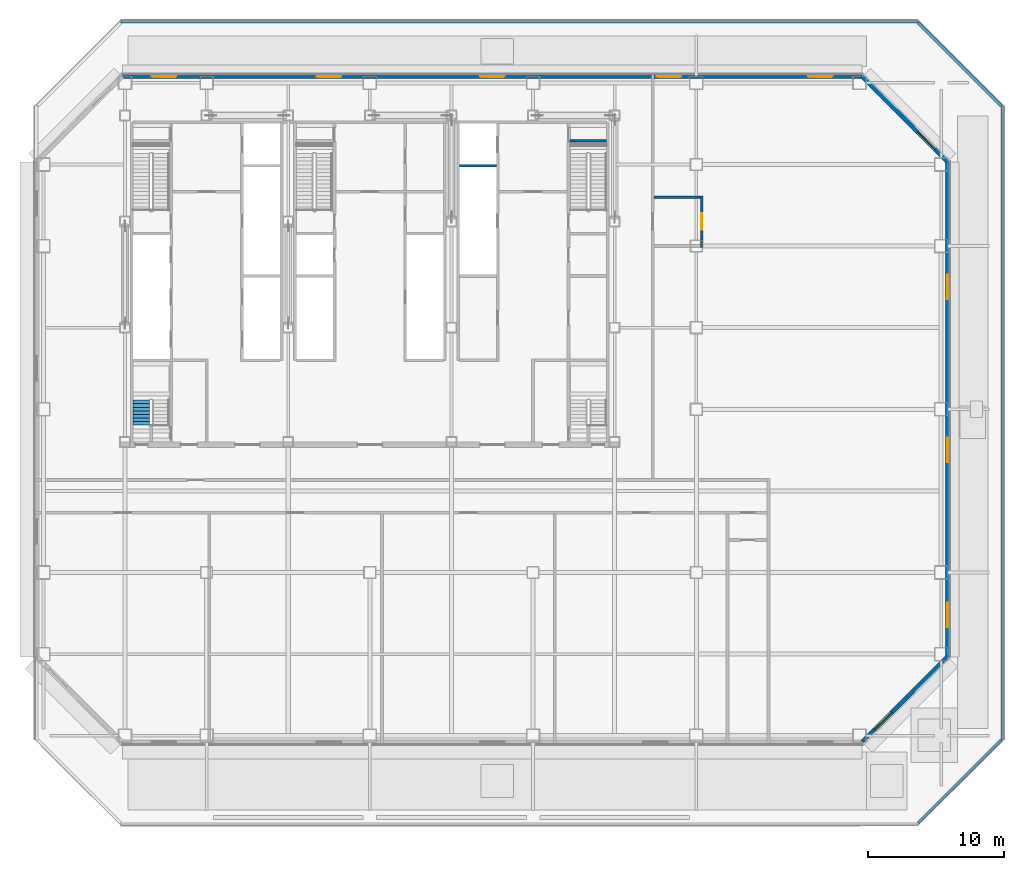
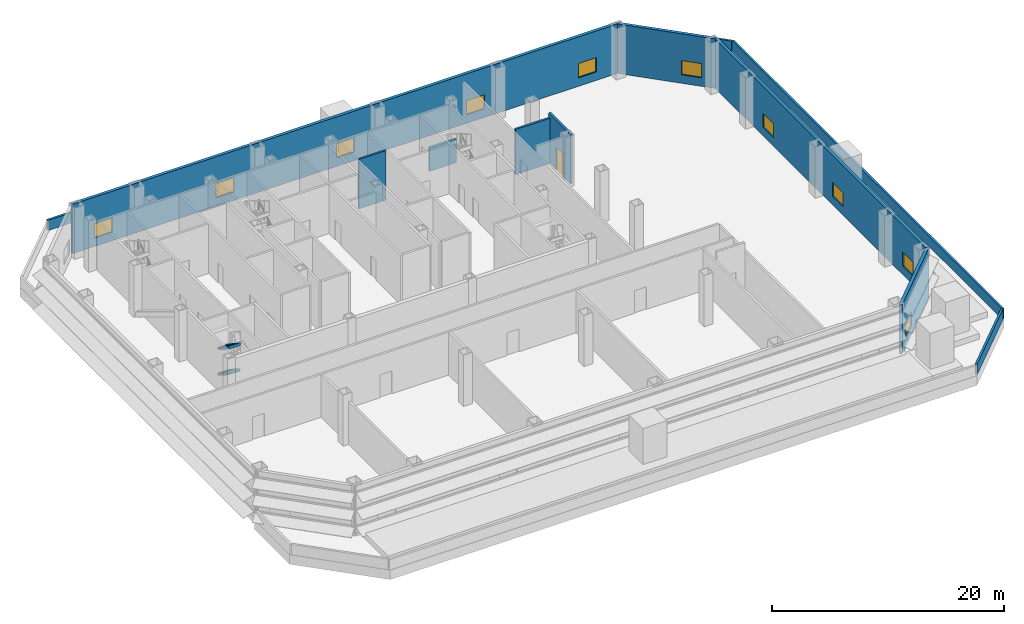
# One storey, part 6 of 11: 12 walls, 10 windows, 2 stair flights, 1 door, 11 openings, 1 element without a shape of its own.
"""IFC4 building model written with IfcOpenShell, lengths in metres."""

from ifc_helpers import new_model, si_unit, direction, frame, frame_2d, origin, place, context, subcontext, project, spatial, polyline, rectangle, outline, extrude, material, layer, layer_set, type_object, element, fill, aggregate, save


model = new_model("IFC4")

# Units and contexts
model_context = context("Model", 3, precision=1e-05, world=origin(), true_north=direction((0.0, 1.0)))
body_context = subcontext(model_context, "Body", "Model", "MODEL_VIEW")
ifc_project = project(units=[si_unit("LENGTHUNIT", "METRE"), si_unit("AREAUNIT", "SQUARE_METRE"), si_unit("VOLUMEUNIT", "CUBIC_METRE"), si_unit("PLANEANGLEUNIT", "RADIAN"), si_unit("MASSUNIT", "GRAM", prefix="KILO")], contexts=[model_context])

# Site, building, storey
site_placement = place(None, origin())
site = spatial("IfcSite", under=ifc_project, at=site_placement, CompositionType="ELEMENT")
building_placement = place(site_placement, origin())
building = spatial("IfcBuilding", under=site, at=building_placement, Name="Sorahane Residences", CompositionType="ELEMENT")
storey_placement = place(building_placement, frame((0.0, 0.0, 44.39990234375)))
storey = spatial("IfcBuildingStorey", under=building, at=storey_placement, Name="L07", CompositionType="ELEMENT", Elevation=44.39990234375)

# Wall, opening, window
ifc_material_1 = material(Name="Graphite insulated metal-clad wall")
ifc_layer_1 = layer(ifc_material_1, 0.300048828125)
ifc_layer_set_1 = layer_set([ifc_layer_1], Name="External wall insulated metal-clad 300")
wall_type_1 = type_object("IfcWallType", Name="External wall insulated metal-clad 300", PredefinedType="SOLIDWALL", material=ifc_layer_set_1)
wall_1_placement = place(storey_placement, frame((60.194580078125, -0.469970703125, 0.0), z_axis=(0.0, 0.0, 1.0), x_axis=(0.707106781187, 0.707106781187, 0.0)))
wall_1 = element("IfcWall", 1, at=wall_1_placement, inside=storey, type_object=wall_type_1, Name="External plant wall L07 SE1", PredefinedType="SOLIDWALL", context=body_context, shape_type="SweptSolid", body=[
    extrude(rectangle(XDim=8.874755859375, YDim=0.300048828125, at=frame_2d((4.4375, 0.0))), origin(), (0.0, 0.0, 1.0), 5.22021484375),
])
opening_1_placement = place(wall_1_placement, frame((1.291748046875, 0.0, 0.89990234375)))
opening_1 = element("IfcOpeningElement", 2, at=opening_1_placement, cuts=wall_1, Name="Opening W-R1", PredefinedType="OPENING", context=body_context, shape_type="SweptSolid", body=[
    extrude(rectangle(XDim=1.800048828125, YDim=1.5, at=frame_2d((0.89990234375, 0.75))), frame((0.0, 0.159912109375, 0.0), z_axis=(0.0, -1.0, 0.0), x_axis=(1.0, 0.0, 0.0)), (0.0, 0.0, 1.0), 0.320068359375),
])
ifc_material_2 = material(Name="Dark aluminium and glass", Category="aluminium")
window_type = type_object("IfcWindowType", Name="Openable Class B fire window dark aluminium 1800x1500", PartitioningType="SINGLE_PANEL", PredefinedType="WINDOW", material=ifc_material_2)
window_1_placement = place(opening_1_placement, origin())
window_1 = element("IfcWindow", 3, at=window_1_placement, inside=storey, type_object=window_type, Name="Openable fire window L07 SE1.1", OverallHeight=1.5, OverallWidth=1.800048828125, PartitioningType="SINGLE_PANEL", PredefinedType="WINDOW", context=body_context, shape_type="SweptSolid", body=[
    extrude(rectangle(XDim=1.800048828125, YDim=1.5, at=frame_2d((0.89990234375, 0.75))), frame((0.0, 0.030029296875, 0.0), z_axis=(0.0, -1.0, 0.0), x_axis=(1.0, 0.0, 0.0)), (0.0, 0.0, 1.0), 0.06005859375),
])
fill(opening_1, window_1)

# Wall, openings, windows
wall_2_placement = place(storey_placement, frame((66.469970703125, 5.805419921875, 0.0), z_axis=(0.0, 0.0, 1.0), x_axis=(0.0, 1.0, 0.0)))
wall_2 = element("IfcWall", 4, at=wall_2_placement, inside=storey, type_object=wall_type_1, Name="External plant wall L07 E1", PredefinedType="SOLIDWALL", context=body_context, shape_type="SweptSolid", body=[
    extrude(rectangle(XDim=36.38916015625, YDim=0.300048828125, at=frame_2d((18.194580078125, 0.0))), origin(), (0.0, 0.0, 1.0), 5.22021484375),
])
opening_2_placement = place(wall_2_placement, frame((2.17041015625, 0.0, 0.89990234375)))
opening_2 = element("IfcOpeningElement", 5, at=opening_2_placement, cuts=wall_2, Name="Opening W-R1", PredefinedType="OPENING", context=body_context, shape_type="SweptSolid", body=[
    extrude(rectangle(XDim=1.800048828125, YDim=1.5, at=frame_2d((0.89990234375, 0.75))), frame((0.0, 0.159912109375, 0.0), z_axis=(0.0, -1.0, 0.0), x_axis=(1.0, 0.0, 0.0)), (0.0, 0.0, 1.0), 0.320068359375),
])
opening_3_placement = place(wall_2_placement, frame((14.294677734375, 0.0, 0.89990234375)))
opening_3 = element("IfcOpeningElement", 6, at=opening_3_placement, cuts=wall_2, Name="Opening W-R1", PredefinedType="OPENING", context=body_context, shape_type="SweptSolid", body=[
    extrude(rectangle(XDim=1.800048828125, YDim=1.5, at=frame_2d((0.89990234375, 0.75))), frame((0.0, 0.159912109375, 0.0), z_axis=(0.0, -1.0, 0.0), x_axis=(1.0, 0.0, 0.0)), (0.0, 0.0, 1.0), 0.320068359375),
])
opening_4_placement = place(wall_2_placement, frame((26.294677734375, 0.0, 0.89990234375)))
opening_4 = element("IfcOpeningElement", 7, at=opening_4_placement, cuts=wall_2, Name="Opening W-R1", PredefinedType="OPENING", context=body_context, shape_type="SweptSolid", body=[
    extrude(rectangle(XDim=1.800048828125, YDim=1.5, at=frame_2d((0.89990234375, 0.75))), frame((0.0, 0.159912109375, 0.0), z_axis=(0.0, -1.0, 0.0), x_axis=(1.0, 0.0, 0.0)), (0.0, 0.0, 1.0), 0.320068359375),
])
window_2_placement = place(opening_2_placement, origin())
window_2 = element("IfcWindow", 8, at=window_2_placement, inside=storey, type_object=window_type, Name="Openable fire window L07 E1.1", OverallHeight=1.5, OverallWidth=1.800048828125, PartitioningType="SINGLE_PANEL", PredefinedType="WINDOW", context=body_context, shape_type="SweptSolid", body=[
    extrude(rectangle(XDim=1.800048828125, YDim=1.5, at=frame_2d((0.89990234375, 0.75))), frame((0.0, 0.030029296875, 0.0), z_axis=(0.0, -1.0, 0.0), x_axis=(1.0, 0.0, 0.0)), (0.0, 0.0, 1.0), 0.06005859375),
])
fill(opening_2, window_2)
window_3_placement = place(opening_3_placement, origin())
window_3 = element("IfcWindow", 9, at=window_3_placement, inside=storey, type_object=window_type, Name="Openable fire window L07 E1.3", OverallHeight=1.5, OverallWidth=1.800048828125, PartitioningType="SINGLE_PANEL", PredefinedType="WINDOW", context=body_context, shape_type="SweptSolid", body=[
    extrude(rectangle(XDim=1.800048828125, YDim=1.5, at=frame_2d((0.89990234375, 0.75))), frame((0.0, 0.030029296875, 0.0), z_axis=(0.0, -1.0, 0.0), x_axis=(1.0, 0.0, 0.0)), (0.0, 0.0, 1.0), 0.06005859375),
])
fill(opening_3, window_3)
window_4_placement = place(opening_4_placement, origin())
window_4 = element("IfcWindow", 10, at=window_4_placement, inside=storey, type_object=window_type, Name="Openable fire window L07 E1.5", OverallHeight=1.5, OverallWidth=1.800048828125, PartitioningType="SINGLE_PANEL", PredefinedType="WINDOW", context=body_context, shape_type="SweptSolid", body=[
    extrude(rectangle(XDim=1.800048828125, YDim=1.5, at=frame_2d((0.89990234375, 0.75))), frame((0.0, 0.030029296875, 0.0), z_axis=(0.0, -1.0, 0.0), x_axis=(1.0, 0.0, 0.0)), (0.0, 0.0, 1.0), 0.06005859375),
])
fill(opening_4, window_4)

# Wall, opening, window
wall_3_placement = place(storey_placement, frame((66.469970703125, 42.194580078125, 0.0), z_axis=(0.0, 0.0, 1.0), x_axis=(-0.707106781187, 0.707106781187, 0.0)))
wall_3 = element("IfcWall", 11, at=wall_3_placement, inside=storey, type_object=wall_type_1, Name="External plant wall L07 NE1", PredefinedType="SOLIDWALL", context=body_context, shape_type="SweptSolid", body=[
    extrude(rectangle(XDim=8.874755859375, YDim=0.300048828125, at=frame_2d((4.4375, 0.0))), origin(), (0.0, 0.0, 1.0), 5.22021484375),
])
opening_5_placement = place(wall_3_placement, frame((1.291748046875, 0.0, 0.89990234375)))
opening_5 = element("IfcOpeningElement", 12, at=opening_5_placement, cuts=wall_3, Name="Opening W-R1", PredefinedType="OPENING", context=body_context, shape_type="SweptSolid", body=[
    extrude(rectangle(XDim=1.800048828125, YDim=1.5, at=frame_2d((0.89990234375, 0.75))), frame((0.0, 0.159912109375, 0.0), z_axis=(0.0, -1.0, 0.0), x_axis=(1.0, 0.0, 0.0)), (0.0, 0.0, 1.0), 0.320068359375),
])
window_5_placement = place(opening_5_placement, origin())
window_5 = element("IfcWindow", 13, at=window_5_placement, inside=storey, type_object=window_type, Name="Openable fire window L07 NE1.1", OverallHeight=1.5, OverallWidth=1.800048828125, PartitioningType="SINGLE_PANEL", PredefinedType="WINDOW", context=body_context, shape_type="SweptSolid", body=[
    extrude(rectangle(XDim=1.800048828125, YDim=1.5, at=frame_2d((0.89990234375, 0.75))), frame((0.0, 0.030029296875, 0.0), z_axis=(0.0, -1.0, 0.0), x_axis=(1.0, 0.0, 0.0)), (0.0, 0.0, 1.0), 0.06005859375),
])
fill(opening_5, window_5)

# Wall, openings, windows
wall_4_placement = place(storey_placement, frame((60.194580078125, 48.469970703125, 0.0), z_axis=(0.0, 0.0, 1.0), x_axis=(-1.0, 0.0, 0.0)))
wall_4 = element("IfcWall", 14, at=wall_4_placement, inside=storey, type_object=wall_type_1, Name="External plant wall L07 N1", PredefinedType="SOLIDWALL", context=body_context, shape_type="SweptSolid", body=[
    extrude(rectangle(XDim=54.38916015625, YDim=0.300048828125, at=frame_2d((27.194580078125, 0.0))), origin(), (0.0, 0.0, 1.0), 5.22021484375),
])
opening_6_placement = place(wall_4_placement, frame((2.17041015625, 0.0, 0.89990234375)))
opening_6 = element("IfcOpeningElement", 15, at=opening_6_placement, cuts=wall_4, Name="Opening W-R1", PredefinedType="OPENING", context=body_context, shape_type="SweptSolid", body=[
    extrude(rectangle(XDim=1.800048828125, YDim=1.5, at=frame_2d((0.89990234375, 0.75))), frame((0.0, 0.159912109375, 0.0), z_axis=(0.0, -1.0, 0.0), x_axis=(1.0, 0.0, 0.0)), (0.0, 0.0, 1.0), 0.320068359375),
])
opening_7_placement = place(wall_4_placement, frame((13.294677734375, 0.0, 0.89990234375)))
opening_7 = element("IfcOpeningElement", 16, at=opening_7_placement, cuts=wall_4, Name="Opening W-R1", PredefinedType="OPENING", context=body_context, shape_type="SweptSolid", body=[
    extrude(rectangle(XDim=1.800048828125, YDim=1.5, at=frame_2d((0.89990234375, 0.75))), frame((0.0, 0.159912109375, 0.0), z_axis=(0.0, -1.0, 0.0), x_axis=(1.0, 0.0, 0.0)), (0.0, 0.0, 1.0), 0.320068359375),
])
opening_8_placement = place(wall_4_placement, frame((26.294677734375, 0.0, 0.89990234375)))
opening_8 = element("IfcOpeningElement", 17, at=opening_8_placement, cuts=wall_4, Name="Opening W-R1", PredefinedType="OPENING", context=body_context, shape_type="SweptSolid", body=[
    extrude(rectangle(XDim=1.800048828125, YDim=1.5, at=frame_2d((0.89990234375, 0.75))), frame((0.0, 0.159912109375, 0.0), z_axis=(0.0, -1.0, 0.0), x_axis=(1.0, 0.0, 0.0)), (0.0, 0.0, 1.0), 0.320068359375),
])
opening_9_placement = place(wall_4_placement, frame((38.294677734375, 0.0, 0.89990234375)))
opening_9 = element("IfcOpeningElement", 18, at=opening_9_placement, cuts=wall_4, Name="Opening W-R1", PredefinedType="OPENING", context=body_context, shape_type="SweptSolid", body=[
    extrude(rectangle(XDim=1.800048828125, YDim=1.5, at=frame_2d((0.89990234375, 0.75))), frame((0.0, 0.159912109375, 0.0), z_axis=(0.0, -1.0, 0.0), x_axis=(1.0, 0.0, 0.0)), (0.0, 0.0, 1.0), 0.320068359375),
])
opening_10_placement = place(wall_4_placement, frame((50.4189453125, 0.0, 0.89990234375)))
opening_10 = element("IfcOpeningElement", 19, at=opening_10_placement, cuts=wall_4, Name="Opening W-R1", PredefinedType="OPENING", context=body_context, shape_type="SweptSolid", body=[
    extrude(rectangle(XDim=1.800048828125, YDim=1.5, at=frame_2d((0.89990234375, 0.75))), frame((0.0, 0.159912109375, 0.0), z_axis=(0.0, -1.0, 0.0), x_axis=(1.0, 0.0, 0.0)), (0.0, 0.0, 1.0), 0.320068359375),
])
window_6_placement = place(opening_6_placement, origin())
window_6 = element("IfcWindow", 20, at=window_6_placement, inside=storey, type_object=window_type, Name="Openable fire window L07 N1.1", OverallHeight=1.5, OverallWidth=1.800048828125, PartitioningType="SINGLE_PANEL", PredefinedType="WINDOW", context=body_context, shape_type="SweptSolid", body=[
    extrude(rectangle(XDim=1.800048828125, YDim=1.5, at=frame_2d((0.89990234375, 0.75))), frame((0.0, 0.030029296875, 0.0), z_axis=(0.0, -1.0, 0.0), x_axis=(1.0, 0.0, 0.0)), (0.0, 0.0, 1.0), 0.06005859375),
])
fill(opening_6, window_6)
window_7_placement = place(opening_7_placement, origin())
window_7 = element("IfcWindow", 21, at=window_7_placement, inside=storey, type_object=window_type, Name="Openable fire window L07 N1.3", OverallHeight=1.5, OverallWidth=1.800048828125, PartitioningType="SINGLE_PANEL", PredefinedType="WINDOW", context=body_context, shape_type="SweptSolid", body=[
    extrude(rectangle(XDim=1.800048828125, YDim=1.5, at=frame_2d((0.89990234375, 0.75))), frame((0.0, 0.030029296875, 0.0), z_axis=(0.0, -1.0, 0.0), x_axis=(1.0, 0.0, 0.0)), (0.0, 0.0, 1.0), 0.06005859375),
])
fill(opening_7, window_7)
window_8_placement = place(opening_8_placement, origin())
window_8 = element("IfcWindow", 22, at=window_8_placement, inside=storey, type_object=window_type, Name="Openable fire window L07 N1.5", OverallHeight=1.5, OverallWidth=1.800048828125, PartitioningType="SINGLE_PANEL", PredefinedType="WINDOW", context=body_context, shape_type="SweptSolid", body=[
    extrude(rectangle(XDim=1.800048828125, YDim=1.5, at=frame_2d((0.89990234375, 0.75))), frame((0.0, 0.030029296875, 0.0), z_axis=(0.0, -1.0, 0.0), x_axis=(1.0, 0.0, 0.0)), (0.0, 0.0, 1.0), 0.06005859375),
])
fill(opening_8, window_8)
window_9_placement = place(opening_9_placement, origin())
window_9 = element("IfcWindow", 23, at=window_9_placement, inside=storey, type_object=window_type, Name="Openable fire window L07 N1.7", OverallHeight=1.5, OverallWidth=1.800048828125, PartitioningType="SINGLE_PANEL", PredefinedType="WINDOW", context=body_context, shape_type="SweptSolid", body=[
    extrude(rectangle(XDim=1.800048828125, YDim=1.5, at=frame_2d((0.89990234375, 0.75))), frame((0.0, 0.030029296875, 0.0), z_axis=(0.0, -1.0, 0.0), x_axis=(1.0, 0.0, 0.0)), (0.0, 0.0, 1.0), 0.06005859375),
])
fill(opening_9, window_9)
window_10_placement = place(opening_10_placement, origin())
window_10 = element("IfcWindow", 24, at=window_10_placement, inside=storey, type_object=window_type, Name="Openable fire window L07 N1.9", OverallHeight=1.5, OverallWidth=1.800048828125, PartitioningType="SINGLE_PANEL", PredefinedType="WINDOW", context=body_context, shape_type="SweptSolid", body=[
    extrude(rectangle(XDim=1.800048828125, YDim=1.5, at=frame_2d((0.89990234375, 0.75))), frame((0.0, 0.030029296875, 0.0), z_axis=(0.0, -1.0, 0.0), x_axis=(1.0, 0.0, 0.0)), (0.0, 0.0, 1.0), 0.06005859375),
])
fill(opening_10, window_10)

# Wall, opening, door
ifc_material_3 = material(Name="Concrete blockwork C20 wall", Category="masonry")
ifc_layer_2 = layer(ifc_material_3, 0.199951171875)
ifc_layer_set_2 = layer_set([ifc_layer_2], Name="Fire wall 200 EI 120")
wall_type_2 = type_object("IfcWallType", Name="Fire wall 200 EI 120", PredefinedType="SOLIDWALL", material=ifc_layer_set_2)
wall_5_placement = place(storey_placement, frame((48.39990234375, 35.89990234375, 0.0), z_axis=(0.0, 0.0, 1.0), x_axis=(0.0, 1.0, 0.0)))
wall_5 = element("IfcWall", 25, at=wall_5_placement, inside=storey, type_object=wall_type_2, Name="L07 fire wall", PredefinedType="SOLIDWALL", context=body_context, shape_type="SweptSolid", body=[
    extrude(rectangle(XDim=3.800048828125, YDim=0.199951171875, at=frame_2d((1.89990234375, 0.0))), origin(), (0.0, 0.0, 1.0), 5.22021484375),
])
opening_11_placement = place(wall_5_placement, frame((1.300048828125, 0.0, 0.0)))
opening_11 = element("IfcOpeningElement", 26, at=opening_11_placement, cuts=wall_5, Name="Opening L07-08", PredefinedType="OPENING", context=body_context, shape_type="SweptSolid", body=[
    extrude(rectangle(XDim=1.199951171875, YDim=2.39990234375, at=frame_2d((0.60009765625, 1.199951171875))), frame((0.0, 0.10986328125, 0.0), z_axis=(0.0, -1.0, 0.0), x_axis=(1.0, 0.0, 0.0)), (0.0, 0.0, 1.0), 0.219970703125),
])
ifc_material_4 = material(Name="Steel", Category="steel")
door_type = type_object("IfcDoorType", Name="Lobby door 1200x2400 FD60", OperationType="NOTDEFINED", PredefinedType="DOOR", material=ifc_material_4)
door_placement = place(opening_11_placement, frame((1.199951171875, 0.0, 0.0), z_axis=(0.0, 0.0, 1.0), x_axis=(-1.0, 0.0, 0.0)))
door = element("IfcDoor", 27, at=door_placement, inside=storey, type_object=door_type, Name="Lobby door L07-08", OperationType="SINGLE_SWING_LEFT", OverallHeight=2.39990234375, OverallWidth=1.199951171875, PredefinedType="DOOR", context=body_context, shape_type="SweptSolid", body=[
    extrude(rectangle(XDim=1.199951171875, YDim=2.39990234375, at=frame_2d((0.60009765625, 1.199951171875))), frame((0.0, 0.02490234375, 0.0), z_axis=(0.0, -1.0, 0.0), x_axis=(1.0, 0.0, 0.0)), (0.0, 0.0, 1.0), 0.050048828125),
])
fill(opening_11, door)

# Walls
wall_6_placement = place(storey_placement, frame((44.89990234375, 39.60009765625, 0.0), z_axis=(0.0, 0.0, 1.0), x_axis=(1.0, 0.0, 0.0)))
element("IfcWall", 28, at=wall_6_placement, inside=storey, type_object=wall_type_2, Name="L07 fire wall", PredefinedType="SOLIDWALL", context=body_context, shape_type="SweptSolid", body=[
    extrude(rectangle(XDim=3.400146484375, YDim=0.199951171875, at=frame_2d((1.7001953125, 0.0))), origin(), (0.0, 0.0, 1.0), 4.77001953125),
])
ifc_material_5 = material(Name="Concrete C30", Category="concrete")
ifc_layer_3 = layer(ifc_material_5, 0.199951171875)
ifc_layer_set_3 = layer_set([ifc_layer_3], Name="Lift shaft wall 200 EI 120")
wall_type_3 = type_object("IfcWallType", Name="Lift shaft wall 200 EI 120", PredefinedType="SOLIDWALL", material=ifc_layer_set_3)
wall_7_placement = place(storey_placement, frame((30.60009765625, 41.89990234375, 0.0), z_axis=(0.0, 0.0, 1.0), x_axis=(1.0, 0.0, 0.0)))
element("IfcWall", 29, at=wall_7_placement, inside=storey, type_object=wall_type_3, Name="L07 lift shaft wall", PredefinedType="SOLIDWALL", context=body_context, shape_type="SweptSolid", body=[
    extrude(rectangle(XDim=2.699951171875, YDim=0.199951171875, at=frame_2d((1.35009765625, 0.0))), origin(), (0.0, 0.0, 1.0), 5.22021484375),
])
ifc_material_6 = material(Name="Concrete C35", Category="concrete")
ifc_layer_4 = layer(ifc_material_6, 0.199951171875)
ifc_layer_set_4 = layer_set([ifc_layer_4], Name="Parapet wall Concrete C35 200")
wall_type_4 = type_object("IfcWallType", Name="Parapet wall Concrete C35 200", PredefinedType="PARAPET", material=ifc_layer_set_4)
wall_8_placement = place(storey_placement, frame((5.69287109375, 52.5, 0.0), z_axis=(0.0, 0.0, 1.0), x_axis=(1.0, 0.0, 0.0)))
element("IfcWall", 30, at=wall_8_placement, inside=storey, type_object=wall_type_4, Name="Roof parapet L07.1.1.3", PredefinedType="PARAPET", context=body_context, shape_type="SweptSolid", body=[
    extrude(rectangle(XDim=58.6142578125, YDim=0.199951171875, at=frame_2d((29.30712890625, 0.0))), origin(), (0.0, 0.0, 1.0), 1.10009765625),
])
wall_9_placement = place(storey_placement, frame((64.3095703125, 52.3974609375, 0.0), z_axis=(0.0, 0.0, 1.0), x_axis=(0.707106781187, -0.707106781187, 0.0)))
element("IfcWall", 31, at=wall_9_placement, inside=storey, type_object=wall_type_4, Name="Roof parapet L07.1.1.4", PredefinedType="PARAPET", context=body_context, shape_type="SweptSolid", body=[
    extrude(rectangle(XDim=8.609619140625, YDim=0.199951171875, at=frame_2d((4.3046875, 0.0))), origin(), (0.0, 0.0, 1.0), 1.10009765625),
])
wall_10_placement = place(storey_placement, frame((70.5, 46.30712890625, 0.0), z_axis=(0.0, 0.0, 1.0), x_axis=(0.0, -1.0, 0.0)))
element("IfcWall", 32, at=wall_10_placement, inside=storey, type_object=wall_type_4, Name="Roof parapet L07.1.1.5", PredefinedType="PARAPET", context=body_context, shape_type="SweptSolid", body=[
    extrude(rectangle(XDim=46.6142578125, YDim=0.199951171875, at=frame_2d((23.30712890625, 0.0))), origin(), (0.0, 0.0, 1.0), 1.10009765625),
])
wall_11_placement = place(storey_placement, frame((70.3974609375, -0.3095703125, 0.0), z_axis=(0.0, 0.0, 1.0), x_axis=(-0.707106781187, -0.707106781187, 0.0)))
element("IfcWall", 33, at=wall_11_placement, inside=storey, type_object=wall_type_4, Name="Roof parapet L07.1.1.6", PredefinedType="PARAPET", context=body_context, shape_type="SweptSolid", body=[
    extrude(rectangle(XDim=8.609619140625, YDim=0.199951171875, at=frame_2d((4.3046875, 0.0))), origin(), (0.0, 0.0, 1.0), 1.10009765625),
])
ifc_material_7 = material(Name="Concrete C30", Category="concrete")
ifc_layer_5 = layer(ifc_material_7, 0.199951171875)
ifc_layer_set_5 = layer_set([ifc_layer_5], Name="Stair enclosure wall 200 EI 120")
wall_type_5 = type_object("IfcWallType", Name="Stair enclosure wall 200 EI 120", PredefinedType="SOLIDWALL", material=ifc_layer_set_5)
wall_12_placement = place(storey_placement, frame((38.699951171875, 43.75, 0.0), z_axis=(0.0, 0.0, 1.0), x_axis=(1.0, 0.0, 0.0)))
element("IfcWall", 34, at=wall_12_placement, inside=storey, type_object=wall_type_5, Name="L07 stair enclosure wall", PredefinedType="SOLIDWALL", context=body_context, shape_type="SweptSolid", body=[
    extrude(rectangle(XDim=2.699951171875, YDim=0.199951171875, at=frame_2d((1.35009765625, 0.0))), origin(), (0.0, 0.0, 1.0), 2.5),
])

# Stair, stair flights
ifc_material_8 = material(Name="Concrete C40", Category="concrete")
stair_type = type_object("IfcStairType", Name="Dog-leg stair 1250 Concrete C40", PredefinedType="HALF_TURN_STAIR", material=ifc_material_8)
stair_placement = place(storey_placement, origin())
stair = element("IfcStair", 35, at=stair_placement, inside=storey, type_object=stair_type, Name="L07 Stair S4", PredefinedType="HALF_TURN_STAIR")
ifc_material_9 = material(Name="Concrete C40", Category="concrete")
stair_flight_type = type_object("IfcStairFlightType", Name="Stair flight 1250 Concrete C40", PredefinedType="STRAIGHT", material=ifc_material_9)
stair_flight_1_placement = place(storey_placement, frame((7.22509765625, 24.669921875, 1.35009765625), z_axis=(0.0, 0.0, 1.0), x_axis=(0.0, -1.0, 0.0)))
stair_flight_1 = element("IfcStairFlight", 36, at=stair_flight_1_placement, type_object=stair_flight_type, Name="S4 flight 2", NumberOfRisers=8, NumberOfTreads=7, PredefinedType="STRAIGHT", RiserHeight=0.16875, TreadLength=0.26, context=body_context, shape_type="SweptSolid", body=[
    extrude(outline(polyline([(0.0, 0.0), (0.0, 0.002197265625), (0.0, 0.004150390625), (0.0, 0.00634765625), (0.0, 0.00830078125), (0.0, 0.010498046875), (0.0, 0.012451171875), (0.0, 0.0146484375), (0.0, 0.0166015625), (0.0, 0.018798828125), (0.0, 0.020751953125), (0.0, 0.02294921875), (0.0, 0.02490234375), (0.0, 0.027099609375), (0.0, 0.029052734375), (0.0, 0.03125), (0.0, 0.033447265625), (0.0, 0.035400390625), (0.0, 0.03759765625), (0.0, 0.03955078125), (0.0, 0.041748046875), (0.0, 0.043701171875), (0.0, 0.0458984375), (0.0, 0.0478515625), (0.0, 0.050048828125), (0.0, 0.052001953125), (0.0, 0.05419921875), (0.0, 0.05615234375), (0.0, 0.058349609375), (0.0, 0.060302734375), (0.0, 0.0625), (0.0, 0.064697265625), (0.0, 0.066650390625), (0.0, 0.06884765625), (0.0, 0.07080078125), (0.0, 0.072998046875), (0.0, 0.074951171875), (0.0, 0.0771484375), (0.0, 0.0791015625), (0.0, 0.081298828125), (0.0, 0.083251953125), (0.0, 0.08544921875), (0.0, 0.08740234375), (0.0, 0.089599609375), (0.0, 0.091552734375), (0.0, 0.09375), (0.0, 0.095947265625), (0.0, 0.097900390625), (0.0, 0.10009765625), (0.0, 0.10205078125), (0.0, 0.104248046875), (0.0, 0.106201171875), (0.0, 0.1083984375), (0.0, 0.1103515625), (0.0, 0.112548828125), (0.0, 0.114501953125), (0.0, 0.11669921875), (0.0, 0.11865234375), (0.0, 0.120849609375), (0.0, 0.122802734375), (0.0, 0.125), (0.0, 0.127197265625), (0.0, 0.129150390625), (0.0, 0.13134765625), (0.0, 0.13330078125), (0.0, 0.135498046875), (0.0, 0.137451171875), (0.0, 0.1396484375), (0.0, 0.1416015625), (0.0, 0.143798828125), (0.0, 0.145751953125), (0.0, 0.14794921875), (0.0, 0.14990234375), (0.0, 0.152099609375), (0.0, 0.154052734375), (0.0, 0.15625), (0.0, 0.158447265625), (0.0, 0.160400390625), (0.0, 0.16259765625), (0.0, 0.16455078125), (0.0, 0.166748046875), (0.0, 0.168701171875), (0.260009765625, 0.168701171875), (0.260009765625, 0.33740234375), (0.52001953125, 0.33740234375), (0.52001953125, 0.50634765625), (0.780029296875, 0.50634765625), (0.780029296875, 0.675048828125), (1.0400390625, 0.675048828125), (1.0400390625, 0.84375), (1.300048828125, 0.84375), (1.300048828125, 1.012451171875), (1.56005859375, 1.012451171875), (1.56005859375, 1.18115234375), (1.820068359375, 1.18115234375), (1.820068359375, 1.35009765625), (1.820068359375, 1.34619140625), (1.820068359375, 1.34228515625), (1.820068359375, 1.33837890625), (1.820068359375, 1.334716796875), (1.820068359375, 1.330810546875), (1.820068359375, 1.326904296875), (1.820068359375, 1.322998046875), (1.820068359375, 1.319091796875), (1.820068359375, 1.3154296875), (1.820068359375, 1.3115234375), (1.820068359375, 1.3076171875), (1.820068359375, 1.3037109375), (1.820068359375, 1.300048828125), (1.820068359375, 1.296142578125), (1.820068359375, 1.292236328125), (1.820068359375, 1.288330078125), (1.820068359375, 1.284423828125), (1.820068359375, 1.28076171875), (1.820068359375, 1.27685546875), (1.820068359375, 1.27294921875), (1.820068359375, 1.26904296875), (1.820068359375, 1.265380859375), (1.820068359375, 1.261474609375), (1.820068359375, 1.257568359375), (1.820068359375, 1.253662109375), (1.820068359375, 1.249755859375), (1.820068359375, 1.24609375), (1.820068359375, 1.2421875), (1.820068359375, 1.23828125), (1.820068359375, 1.234375), (1.820068359375, 1.230712890625), (1.820068359375, 1.226806640625), (1.820068359375, 1.222900390625), (1.820068359375, 1.218994140625), (1.820068359375, 1.215087890625), (1.820068359375, 1.21142578125), (1.820068359375, 1.20751953125), (1.820068359375, 1.20361328125), (1.820068359375, 1.19970703125), (1.820068359375, 1.196044921875), (1.820068359375, 1.192138671875), (1.820068359375, 1.188232421875), (1.820068359375, 1.184326171875), (1.820068359375, 1.1806640625), (1.820068359375, 1.1767578125), (1.820068359375, 1.1728515625), (1.820068359375, 1.1689453125), (1.820068359375, 1.1650390625), (1.820068359375, 1.161376953125), (1.820068359375, 1.157470703125), (1.820068359375, 1.153564453125), (1.820068359375, 1.149658203125), (1.820068359375, 1.14599609375), (1.820068359375, 1.14208984375), (1.820068359375, 1.13818359375), (1.820068359375, 1.13427734375), (1.820068359375, 1.13037109375), (1.820068359375, 1.126708984375), (1.820068359375, 1.122802734375), (1.820068359375, 1.118896484375), (1.820068359375, 1.114990234375), (1.820068359375, 1.111328125), (1.820068359375, 1.107421875), (1.820068359375, 1.103515625), (1.820068359375, 1.099609375), (1.820068359375, 1.095703125), (1.820068359375, 1.092041015625), (1.820068359375, 1.088134765625), (1.820068359375, 1.084228515625), (1.820068359375, 1.080322265625), (1.820068359375, 1.07666015625), (1.820068359375, 1.07275390625), (1.820068359375, 1.06884765625), (1.820068359375, 1.06494140625), (1.820068359375, 1.061279296875), (1.820068359375, 1.057373046875), (1.820068359375, 1.053466796875), (1.820068359375, 1.049560546875), (1.820068359375, 1.045654296875), (1.820068359375, 1.0419921875), (1.820068359375, 1.0380859375), (1.6201171875, 0.908203125), (1.420166015625, 0.778564453125), (1.22021484375, 0.648681640625), (1.020263671875, 0.51904296875), (0.8203125, 0.38916015625), (0.620361328125, 0.259521484375), (0.420654296875, 0.129638671875), (0.220703125, 0.0), (0.0, 0.0)])), frame((0.0, 0.625, 0.0), z_axis=(0.0, -1.0, 0.0), x_axis=(1.0, 0.0, 0.0)), (0.0, 0.0, 1.0), 1.25),
])
stair_flight_2_placement = place(storey_placement, frame((7.22509765625, 24.669921875, 4.050048828125), z_axis=(0.0, 0.0, 1.0), x_axis=(0.0, -1.0, 0.0)))
stair_flight_2 = element("IfcStairFlight", 37, at=stair_flight_2_placement, type_object=stair_flight_type, Name="S4 flight 4", NumberOfRisers=8, NumberOfTreads=7, PredefinedType="STRAIGHT", RiserHeight=0.16875, TreadLength=0.26, context=body_context, shape_type="SweptSolid", body=[
    extrude(outline(polyline([(0.0, 0.0), (0.0, 0.002197265625), (0.0, 0.004150390625), (0.0, 0.00634765625), (0.0, 0.00830078125), (0.0, 0.010498046875), (0.0, 0.012451171875), (0.0, 0.0146484375), (0.0, 0.0166015625), (0.0, 0.018798828125), (0.0, 0.020751953125), (0.0, 0.02294921875), (0.0, 0.02490234375), (0.0, 0.027099609375), (0.0, 0.029052734375), (0.0, 0.03125), (0.0, 0.033447265625), (0.0, 0.035400390625), (0.0, 0.03759765625), (0.0, 0.03955078125), (0.0, 0.041748046875), (0.0, 0.043701171875), (0.0, 0.0458984375), (0.0, 0.0478515625), (0.0, 0.050048828125), (0.0, 0.052001953125), (0.0, 0.05419921875), (0.0, 0.05615234375), (0.0, 0.058349609375), (0.0, 0.060302734375), (0.0, 0.0625), (0.0, 0.064697265625), (0.0, 0.066650390625), (0.0, 0.06884765625), (0.0, 0.07080078125), (0.0, 0.072998046875), (0.0, 0.074951171875), (0.0, 0.0771484375), (0.0, 0.0791015625), (0.0, 0.081298828125), (0.0, 0.083251953125), (0.0, 0.08544921875), (0.0, 0.08740234375), (0.0, 0.089599609375), (0.0, 0.091552734375), (0.0, 0.09375), (0.0, 0.095947265625), (0.0, 0.097900390625), (0.0, 0.10009765625), (0.0, 0.10205078125), (0.0, 0.104248046875), (0.0, 0.106201171875), (0.0, 0.1083984375), (0.0, 0.1103515625), (0.0, 0.112548828125), (0.0, 0.114501953125), (0.0, 0.11669921875), (0.0, 0.11865234375), (0.0, 0.120849609375), (0.0, 0.122802734375), (0.0, 0.125), (0.0, 0.127197265625), (0.0, 0.129150390625), (0.0, 0.13134765625), (0.0, 0.13330078125), (0.0, 0.135498046875), (0.0, 0.137451171875), (0.0, 0.1396484375), (0.0, 0.1416015625), (0.0, 0.143798828125), (0.0, 0.145751953125), (0.0, 0.14794921875), (0.0, 0.14990234375), (0.0, 0.152099609375), (0.0, 0.154052734375), (0.0, 0.15625), (0.0, 0.158447265625), (0.0, 0.160400390625), (0.0, 0.16259765625), (0.0, 0.16455078125), (0.0, 0.166748046875), (0.0, 0.168701171875), (0.260009765625, 0.168701171875), (0.260009765625, 0.33740234375), (0.52001953125, 0.33740234375), (0.52001953125, 0.50634765625), (0.780029296875, 0.50634765625), (0.780029296875, 0.675048828125), (1.0400390625, 0.675048828125), (1.0400390625, 0.84375), (1.300048828125, 0.84375), (1.300048828125, 1.012451171875), (1.56005859375, 1.012451171875), (1.56005859375, 1.18115234375), (1.820068359375, 1.18115234375), (1.820068359375, 1.35009765625), (1.821533203125, 1.35009765625), (1.821533203125, 1.34619140625), (1.821533203125, 1.34228515625), (1.821533203125, 1.33837890625), (1.821533203125, 1.334716796875), (1.821533203125, 1.330810546875), (1.821533203125, 1.326904296875), (1.821533203125, 1.322998046875), (1.821533203125, 1.319091796875), (1.821533203125, 1.3154296875), (1.821533203125, 1.3115234375), (1.821533203125, 1.3076171875), (1.821533203125, 1.3037109375), (1.821533203125, 1.300048828125), (1.821533203125, 1.296142578125), (1.821533203125, 1.292236328125), (1.821533203125, 1.288330078125), (1.821533203125, 1.284423828125), (1.821533203125, 1.28076171875), (1.821533203125, 1.27685546875), (1.821533203125, 1.27294921875), (1.821533203125, 1.26904296875), (1.821533203125, 1.265380859375), (1.821533203125, 1.261474609375), (1.821533203125, 1.257568359375), (1.821533203125, 1.253662109375), (1.821533203125, 1.249755859375), (1.821533203125, 1.24609375), (1.821533203125, 1.2421875), (1.821533203125, 1.23828125), (1.821533203125, 1.234375), (1.821533203125, 1.230712890625), (1.821533203125, 1.226806640625), (1.821533203125, 1.222900390625), (1.821533203125, 1.218994140625), (1.821533203125, 1.215087890625), (1.821533203125, 1.21142578125), (1.821533203125, 1.20751953125), (1.821533203125, 1.20361328125), (1.821533203125, 1.19970703125), (1.821533203125, 1.196044921875), (1.821533203125, 1.192138671875), (1.821533203125, 1.188232421875), (1.821533203125, 1.184326171875), (1.821533203125, 1.1806640625), (1.821533203125, 1.1767578125), (1.821533203125, 1.1728515625), (1.821533203125, 1.1689453125), (1.821533203125, 1.1650390625), (1.821533203125, 1.161376953125), (1.821533203125, 1.157470703125), (1.821533203125, 1.153564453125), (1.821533203125, 1.149658203125), (1.821533203125, 1.14599609375), (1.821533203125, 1.14208984375), (1.821533203125, 1.13818359375), (1.821533203125, 1.13427734375), (1.821533203125, 1.13037109375), (1.821533203125, 1.126708984375), (1.821533203125, 1.122802734375), (1.821533203125, 1.118896484375), (1.821533203125, 1.114990234375), (1.821533203125, 1.111328125), (1.821533203125, 1.107421875), (1.821533203125, 1.103515625), (1.821533203125, 1.099609375), (1.821533203125, 1.095703125), (1.821533203125, 1.092041015625), (1.821533203125, 1.088134765625), (1.821533203125, 1.084228515625), (1.821533203125, 1.080322265625), (1.821533203125, 1.07666015625), (1.821533203125, 1.07275390625), (1.821533203125, 1.06884765625), (1.821533203125, 1.06494140625), (1.821533203125, 1.061279296875), (1.821533203125, 1.057373046875), (1.821533203125, 1.053466796875), (1.821533203125, 1.049560546875), (1.821533203125, 1.045654296875), (1.821533203125, 1.0419921875), (1.821533203125, 1.0380859375), (1.6435546875, 0.922607421875), (1.4658203125, 0.807373046875), (1.287841796875, 0.692138671875), (1.110107421875, 0.57666015625), (0.93212890625, 0.46142578125), (0.754150390625, 0.345947265625), (0.576416015625, 0.230712890625), (0.3984375, 0.115234375), (0.220703125, 0.0), (0.0, 0.0)])), frame((0.0, 0.625, 0.0), z_axis=(0.0, -1.0, 0.0), x_axis=(1.0, 0.0, 0.0)), (0.0, 0.0, 1.0), 1.25),
])
aggregate(stair, [stair_flight_1, stair_flight_2])

save(model, "model.ifc")
